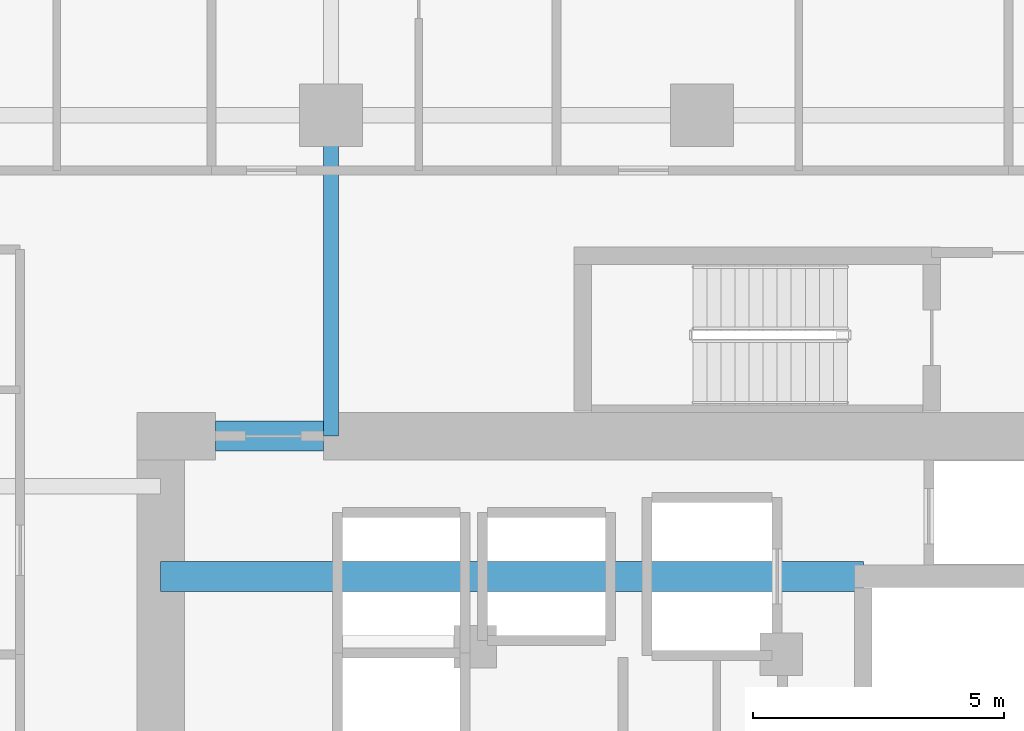
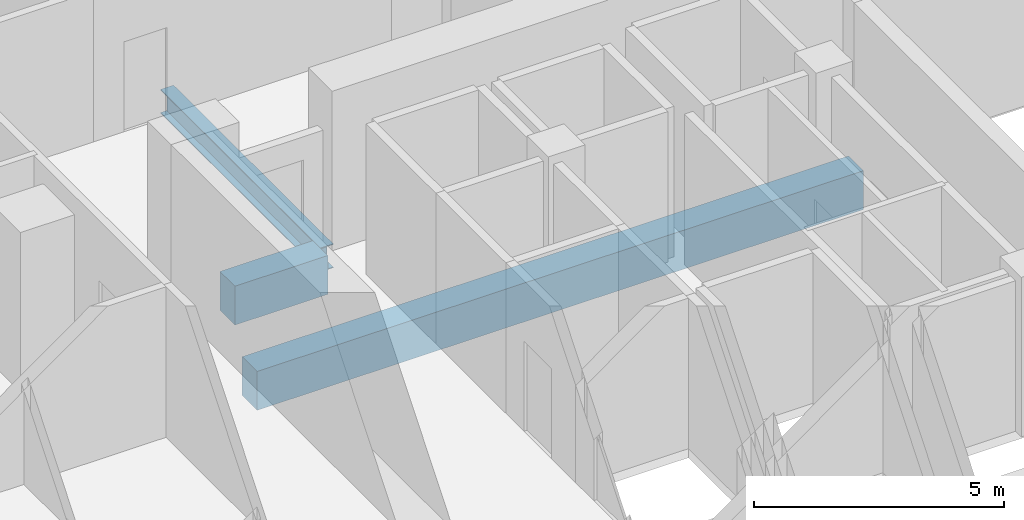
# One storey, part 7 of 28: 3 beams.
"""IFC4 building model written with IfcOpenShell, lengths in metres."""

from ifc_helpers import new_model, si_unit, direction, frame, origin, origin_2d, place, context, subcontext, project, spatial, rectangle, i_section, extrude, material, material_profile, profile_set, type_object, element, save


model = new_model("IFC4")

# Units and contexts
model_context = context("Model", 3, precision=1e-05, world=origin(), true_north=direction((0.0, 1.0)))
body_context = subcontext(model_context, "Body", "Model", "MODEL_VIEW")
ifc_project = project(units=[si_unit("LENGTHUNIT", "METRE"), si_unit("AREAUNIT", "SQUARE_METRE"), si_unit("VOLUMEUNIT", "CUBIC_METRE"), si_unit("PLANEANGLEUNIT", "RADIAN"), si_unit("MASSUNIT", "GRAM", prefix="KILO")], contexts=[model_context])

# Site, building, storey
site_placement = place(None, origin())
site = spatial("IfcSite", under=ifc_project, at=site_placement, CompositionType="ELEMENT")
building_placement = place(site_placement, origin())
building = spatial("IfcBuilding", under=site, at=building_placement, Name="Khorvyn Point Tower", CompositionType="ELEMENT")
storey_placement = place(building_placement, frame((0.0, 0.0, 89.10009765625)))
storey = spatial("IfcBuildingStorey", under=building, at=storey_placement, Name="L22", CompositionType="ELEMENT", Elevation=89.10009765625)

# Beams
ifc_material_1 = material(Name="Concrete C50/60", Category="concrete")
ifc_material_profile_1 = material_profile(ifc_material_1, rectangle(XDim=0.60009765625, YDim=0.949951171875, at=origin_2d()))
ifc_profile_set_1 = profile_set([ifc_material_profile_1], Name="Concrete C50/60 RC600x950")
beam_type_1 = type_object("IfcBeamType", Name="Concrete C50/60 Beam RC600x950", PredefinedType="BEAM", material=ifc_profile_set_1)
beam_1_placement = place(storey_placement, frame((-10.800048828125, 5.60009765625, -0.695068359375), z_axis=(1.0, 0.0, 0.0), x_axis=(0.0, 1.0, 0.0)))
element("IfcBeam", 1, at=beam_1_placement, inside=storey, type_object=beam_type_1, Name="L22 Core Internal Tie Girder N", PredefinedType="BEAM", context=body_context, shape_type="SweptSolid", body=[
    extrude(rectangle(XDim=0.60009765625, YDim=0.949951171875, at=origin_2d()), origin(), (0.0, 0.0, 1.0), 14.02001953125),
])
beam_2_placement = place(storey_placement, frame((-9.699951171875, 8.39990234375, -0.695068359375), z_axis=(1.0, 0.0, 0.0), x_axis=(0.0, 1.0, 0.0)))
element("IfcBeam", 2, at=beam_2_placement, inside=storey, type_object=beam_type_1, Name="L22 Core Northwest Portal Coupling Beam", PredefinedType="BEAM", context=body_context, shape_type="SweptSolid", body=[
    extrude(rectangle(XDim=0.60009765625, YDim=0.949951171875, at=origin_2d()), origin(), (0.0, 0.0, 1.0), 2.14990234375),
])
ifc_material_2 = material(Name="Steel S355", Category="steel")
ifc_material_profile_2 = material_profile(ifc_material_2, i_section(OverallWidth=0.300048828125, OverallDepth=0.587890625, WebThickness=0.011962890625, FlangeThickness=0.02001953125, at=origin_2d()))
ifc_profile_set_2 = profile_set([ifc_material_profile_2], Name="Steel S355 H588x300x12x20")
beam_type_2 = type_object("IfcBeamType", Name="Steel S355 Beam H588x300x12x20", PredefinedType="BEAM", material=ifc_profile_set_2)
beam_3_placement = place(storey_placement, frame((-7.39990234375, 8.39990234375, -0.51416015625), z_axis=(0.0, 1.0, 0.0), x_axis=(-1.0, 0.0, 0.0)))
element("IfcBeam", 3, at=beam_3_placement, inside=storey, type_object=beam_type_2, Name="Beam", PredefinedType="BEAM", context=body_context, shape_type="SweptSolid", body=[
    extrude(i_section(OverallWidth=0.300048828125, OverallDepth=0.587890625, WebThickness=0.011962890625, FlangeThickness=0.02001953125, at=origin_2d()), origin(), (0.0, 0.0, 1.0), 6.400146484375),
])

save(model, "model.ifc")
